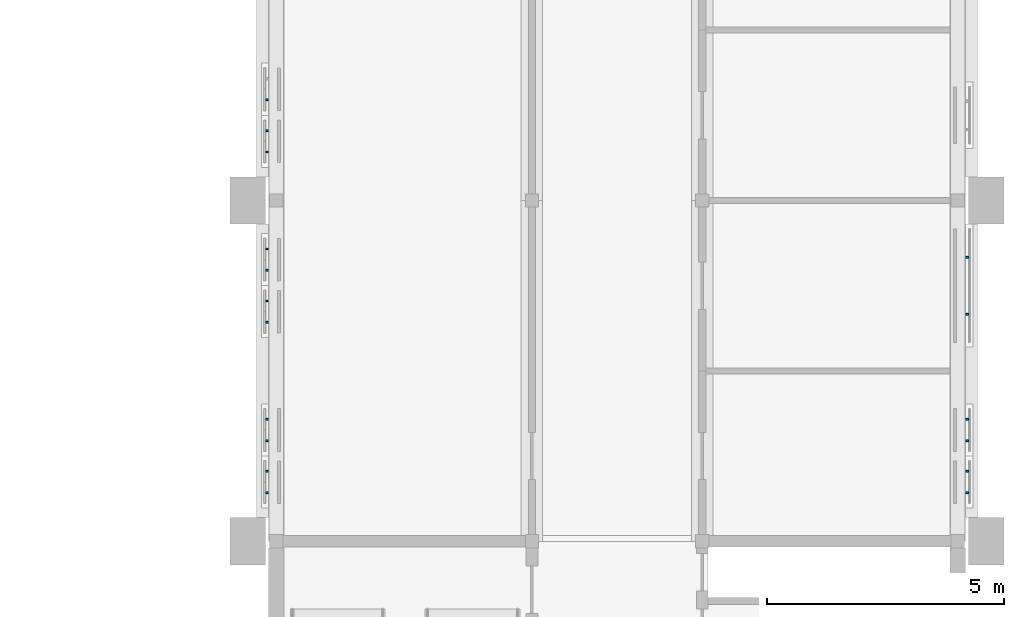
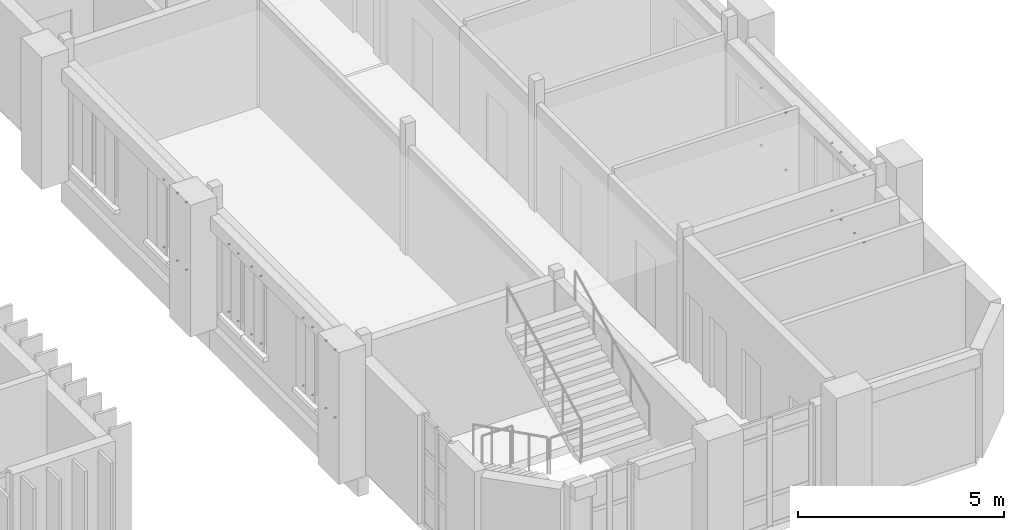
# One storey, part 51 of 69: 34 discrete accessories.
"""IFC4 building model written with IfcOpenShell, lengths in metres."""

from ifc_helpers import new_model, si_unit, direction, frame, origin, origin_2d, place, context, subcontext, project, spatial, rectangle, extrude, material, type_object, element, save


model = new_model("IFC4")

# Units and contexts
model_context = context("Model", 3, precision=1e-05, world=origin(), true_north=direction((0.0, 1.0)))
body_context = subcontext(model_context, "Body", "Model", "MODEL_VIEW")
ifc_project = project(units=[si_unit("LENGTHUNIT", "METRE"), si_unit("AREAUNIT", "SQUARE_METRE"), si_unit("VOLUMEUNIT", "CUBIC_METRE"), si_unit("PLANEANGLEUNIT", "RADIAN"), si_unit("MASSUNIT", "GRAM", prefix="KILO")], contexts=[model_context])

# Site, building, storey
site_placement = place(None, origin())
site = spatial("IfcSite", under=ifc_project, at=site_placement, CompositionType="ELEMENT")
building_placement = place(site_placement, origin())
building = spatial("IfcBuilding", under=site, at=building_placement, Name="Mazhai Court Health Centre", CompositionType="ELEMENT")
storey_placement = place(building_placement, frame((0.0, 0.0, 6.300048828125)))
storey = spatial("IfcBuildingStorey", under=building, at=storey_placement, Name="L01", CompositionType="ELEMENT", Elevation=6.300048828125)

# Discrete accessories
ifc_material = material(Name="Steel IS 2062 E250", Category="steel")
discrete_accessory_type = type_object("IfcDiscreteAccessoryType", Name="BRACKET 40", PredefinedType="BRACKET", material=ifc_material)
for number, where, z_axis, x_axis, name in (
    (1, (135.60498046875, 14.425048828125, 0.780029296875), (0.0, 0.0, 1.0), (0.0, 1.0, 0.0), "BR-V6-L01-A10aa0"),
    (2, (135.60498046875, 14.425048828125, 2.780029296875), (0.0, 0.0, 1.0), (0.0, 1.0, 0.0), "BR-V6-L01-A10aa1"),
    (3, (135.60498046875, 14.875, 0.780029296875), (0.0, 0.0, 1.0), (0.0, 1.0, 0.0), "BR-V6-L01-A10ab0"),
    (4, (135.60498046875, 14.875, 2.780029296875), (0.0, 0.0, 1.0), (0.0, 1.0, 0.0), "BR-V6-L01-A10ab1"),
    (5, (135.60498046875, 15.52490234375, 0.780029296875), (0.0, 0.0, 1.0), (0.0, 1.0, 0.0), "BR-V6-L01-A10ba0"),
    (6, (135.60498046875, 15.52490234375, 2.780029296875), (0.0, 0.0, 1.0), (0.0, 1.0, 0.0), "BR-V6-L01-A10ba1"),
    (7, (135.60498046875, 15.97509765625, 0.780029296875), (0.0, 0.0, 1.0), (0.0, 1.0, 0.0), "BR-V6-L01-A10bb0"),
    (8, (135.60498046875, 15.97509765625, 2.780029296875), (0.0, 0.0, 1.0), (0.0, 1.0, 0.0), "BR-V6-L01-A10bb1"),
    (9, (135.60498046875, 18.02490234375, 0.780029296875), (0.0, 0.0, 1.0), (0.0, 1.0, 0.0), "BR-V6-L01-A11aa0"),
    (10, (135.60498046875, 18.02490234375, 2.780029296875), (0.0, 0.0, 1.0), (0.0, 1.0, 0.0), "BR-V6-L01-A11aa1"),
    (11, (135.60498046875, 18.47509765625, 0.780029296875), (0.0, 0.0, 1.0), (0.0, 1.0, 0.0), "BR-V6-L01-A11ab0"),
    (12, (135.60498046875, 18.47509765625, 2.780029296875), (0.0, 0.0, 1.0), (0.0, 1.0, 0.0), "BR-V6-L01-A11ab1"),
    (13, (135.60498046875, 19.125, 0.780029296875), (0.0, 0.0, 1.0), (0.0, 1.0, 0.0), "BR-V6-L01-A11ba0"),
    (14, (135.60498046875, 19.125, 2.780029296875), (0.0, 0.0, 1.0), (0.0, 1.0, 0.0), "BR-V6-L01-A11ba1"),
    (15, (135.60498046875, 19.574951171875, 0.780029296875), (0.0, 0.0, 1.0), (0.0, 1.0, 0.0), "BR-V6-L01-A11bb0"),
    (16, (135.60498046875, 19.574951171875, 2.780029296875), (0.0, 0.0, 1.0), (0.0, 1.0, 0.0), "BR-V6-L01-A11bb1"),
    (17, (135.60498046875, 21.625, 0.780029296875), (0.0, 0.0, 1.0), (0.0, 1.0, 0.0), "BR-V6-L01-A20aa0"),
    (18, (135.60498046875, 21.625, 2.780029296875), (0.0, 0.0, 1.0), (0.0, 1.0, 0.0), "BR-V6-L01-A20aa1"),
    (19, (135.60498046875, 22.074951171875, 0.780029296875), (0.0, 0.0, 1.0), (0.0, 1.0, 0.0), "BR-V6-L01-A20ab0"),
    (20, (135.60498046875, 22.074951171875, 2.780029296875), (0.0, 0.0, 1.0), (0.0, 1.0, 0.0), "BR-V6-L01-A20ab1"),
    (21, (135.60498046875, 22.72509765625, 0.780029296875), (0.0, 0.0, 1.0), (0.0, 1.0, 0.0), "BR-V6-L01-A20ba0"),
    (22, (135.60498046875, 22.72509765625, 2.780029296875), (0.0, 0.0, 1.0), (0.0, 1.0, 0.0), "BR-V6-L01-A20ba1"),
    (23, (150.39501953125, 14.425048828125, 0.780029296875), (0.0, 0.0, 1.0), (0.0, 1.0, 0.0), "BR-V6-L01-B10aa0"),
    (24, (150.39501953125, 14.425048828125, 2.780029296875), (0.0, 0.0, 1.0), (0.0, 1.0, 0.0), "BR-V6-L01-B10aa1"),
    (25, (150.39501953125, 14.875, 0.780029296875), (0.0, 0.0, 1.0), (0.0, 1.0, 0.0), "BR-V6-L01-B10ab0"),
    (26, (150.39501953125, 14.875, 2.780029296875), (0.0, 0.0, 1.0), (0.0, 1.0, 0.0), "BR-V6-L01-B10ab1"),
    (27, (150.39501953125, 15.52490234375, 0.780029296875), (0.0, 0.0, 1.0), (0.0, 1.0, 0.0), "BR-V6-L01-B10ba0"),
    (28, (150.39501953125, 15.52490234375, 2.780029296875), (0.0, 0.0, 1.0), (0.0, 1.0, 0.0), "BR-V6-L01-B10ba1"),
    (29, (150.39501953125, 15.97509765625, 0.780029296875), (0.0, 0.0, 1.0), (0.0, 1.0, 0.0), "BR-V6-L01-B10bb0"),
    (30, (150.39501953125, 15.97509765625, 2.780029296875), (0.0, 0.0, 1.0), (0.0, 1.0, 0.0), "BR-V6-L01-B10bb1"),
    (31, (150.39501953125, 18.199951171875, 0.6298828125), (0.0, 0.0, 1.0), (0.0, 1.0, 0.0), "BR-V6-L01-B11a0"),
    (32, (150.39501953125, 18.199951171875, 2.329833984375), (0.0, 0.0, 1.0), (0.0, 1.0, 0.0), "BR-V6-L01-B11a1"),
    (33, (150.39501953125, 19.39990234375, 0.6298828125), (0.0, 0.0, 1.0), (0.0, 1.0, 0.0), "BR-V6-L01-B11b0"),
    (34, (150.39501953125, 19.39990234375, 2.329833984375), (0.0, 0.0, 1.0), (0.0, 1.0, 0.0), "BR-V6-L01-B11b1"),
):
    element("IfcDiscreteAccessory", number, at=place(storey_placement, frame(where, z_axis=z_axis, x_axis=x_axis)), inside=storey, type_object=discrete_accessory_type, Name=name, PredefinedType="BRACKET", context=body_context, shape_type="SweptSolid", body=[
        extrude(rectangle(XDim=0.0400390625, YDim=0.06005859375, at=origin_2d()), origin(), (0.0, 0.0, 1.0), 0.0400390625),
    ])

save(model, "model.ifc")
